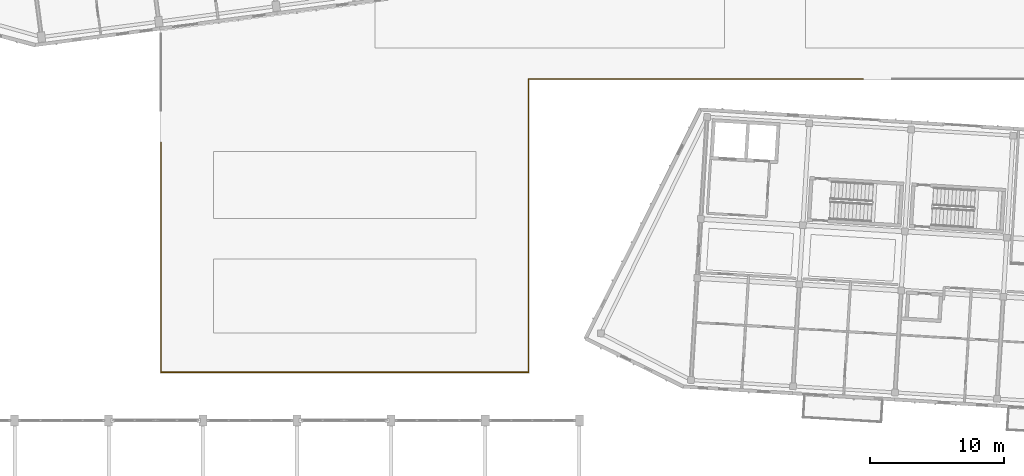
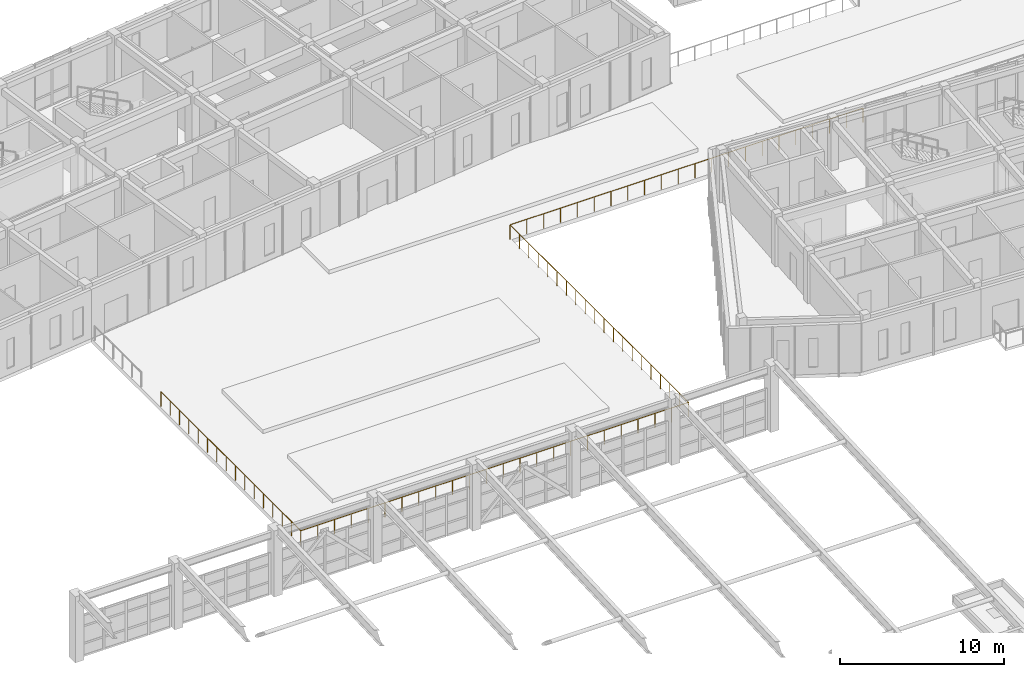
# One storey, part 112 of 150: 1 railing.
"""IFC4 building model written with IfcOpenShell, lengths in metres."""

from ifc_helpers import new_model, si_unit, direction, frame, origin, origin_2d, place, context, subcontext, project, spatial, circle, extrude, material, type_object, element, save


model = new_model("IFC4")

# Units and contexts
model_context = context("Model", 3, precision=1e-05, world=origin(), true_north=direction((0.0, 1.0)))
body_context = subcontext(model_context, "Body", "Model", "MODEL_VIEW")
ifc_project = project(units=[si_unit("LENGTHUNIT", "METRE"), si_unit("AREAUNIT", "SQUARE_METRE"), si_unit("VOLUMEUNIT", "CUBIC_METRE"), si_unit("PLANEANGLEUNIT", "RADIAN"), si_unit("MASSUNIT", "GRAM", prefix="KILO")], contexts=[model_context])

# Site, building, storey
site_placement = place(None, origin())
site = spatial("IfcSite", under=ifc_project, at=site_placement, CompositionType="ELEMENT")
building_placement = place(site_placement, origin())
building = spatial("IfcBuilding", under=site, at=building_placement, Name="Kestramere Prow Commons", CompositionType="ELEMENT")
storey_placement = place(building_placement, frame((0.0, 0.0, 4.5)))
storey = spatial("IfcBuildingStorey", under=building, at=storey_placement, Name="L01", CompositionType="ELEMENT", Elevation=4.5)

# Railing
ifc_material = material(Name="Powder-Coated Aluminium 6063-T6", Category="aluminium")
railing_type = type_object("IfcRailingType", Name="GRD-BALC-1100", PredefinedType="BALUSTRADE", material=ifc_material)
railing_placement = place(storey_placement, frame((72.300048828125, 68.8798828125, 0.0)))
element("IfcRailing", 1, at=railing_placement, inside=storey, type_object=railing_type, Name="Raised Central Courtyard Perimeter Guardrail 3", PredefinedType="BALUSTRADE", context=body_context, shape_type="SweptSolid", body=[
    extrude(circle(Radius=0.02392578125, at=origin_2d()), frame((0.0, 0.0, 1.076171875), z_axis=(-1.0, 0.0, 0.0), x_axis=(0.0, -1.0, 0.0)), (0.0, 0.0, 1.0), 24.880126953125),
    extrude(circle(Radius=0.02392578125, at=origin_2d()), frame((-24.880126953125, 0.0, 1.076171875), z_axis=(0.0, -1.0, 0.0), x_axis=(1.0, 0.0, 0.0)), (0.0, 0.0, 1.0), 21.7998046875),
    extrude(circle(Radius=0.02392578125, at=origin_2d()), frame((-24.880126953125, -21.7998046875, 1.076171875), z_axis=(-1.0, 0.0, 0.0), x_axis=(0.0, -1.0, 0.0)), (0.0, 0.0, 1.0), 27.33984375),
    extrude(circle(Radius=0.02392578125, at=origin_2d()), frame((-52.219970703125, -21.7998046875, 1.076171875), z_axis=(0.0, 1.0, 0.0), x_axis=(-1.0, 0.0, 0.0)), (0.0, 0.0, 1.0), 17.06982421875),
    extrude(circle(Radius=0.02099609375, at=origin_2d()), origin(), (0.0, 0.0, 1.0), 1.052001953125),
    extrude(circle(Radius=0.02099609375, at=origin_2d()), frame((-1.184814453125, 0.0, 0.0)), (0.0, 0.0, 1.0), 1.052001953125),
    extrude(circle(Radius=0.02099609375, at=origin_2d()), frame((-2.36962890625, 0.0, 0.0)), (0.0, 0.0, 1.0), 1.052001953125),
    extrude(circle(Radius=0.02099609375, at=origin_2d()), frame((-3.55419921875, 0.0, 0.0)), (0.0, 0.0, 1.0), 1.052001953125),
    extrude(circle(Radius=0.02099609375, at=origin_2d()), frame((-4.739013671875, 0.0, 0.0)), (0.0, 0.0, 1.0), 1.052001953125),
    extrude(circle(Radius=0.02099609375, at=origin_2d()), frame((-5.923828125, 0.0, 0.0)), (0.0, 0.0, 1.0), 1.052001953125),
    extrude(circle(Radius=0.02099609375, at=origin_2d()), frame((-7.108642578125, 0.0, 0.0)), (0.0, 0.0, 1.0), 1.052001953125),
    extrude(circle(Radius=0.02099609375, at=origin_2d()), frame((-8.29345703125, 0.0, 0.0)), (0.0, 0.0, 1.0), 1.052001953125),
    extrude(circle(Radius=0.02099609375, at=origin_2d()), frame((-9.47802734375, 0.0, 0.0)), (0.0, 0.0, 1.0), 1.052001953125),
    extrude(circle(Radius=0.02099609375, at=origin_2d()), frame((-10.662841796875, 0.0, 0.0)), (0.0, 0.0, 1.0), 1.052001953125),
    extrude(circle(Radius=0.02099609375, at=origin_2d()), frame((-11.84765625, 0.0, 0.0)), (0.0, 0.0, 1.0), 1.052001953125),
    extrude(circle(Radius=0.02099609375, at=origin_2d()), frame((-13.032470703125, 0.0, 0.0)), (0.0, 0.0, 1.0), 1.052001953125),
    extrude(circle(Radius=0.02099609375, at=origin_2d()), frame((-14.21728515625, 0.0, 0.0)), (0.0, 0.0, 1.0), 1.052001953125),
    extrude(circle(Radius=0.02099609375, at=origin_2d()), frame((-15.402099609375, 0.0, 0.0)), (0.0, 0.0, 1.0), 1.052001953125),
    extrude(circle(Radius=0.02099609375, at=origin_2d()), frame((-16.586669921875, 0.0, 0.0)), (0.0, 0.0, 1.0), 1.052001953125),
    extrude(circle(Radius=0.02099609375, at=origin_2d()), frame((-17.771484375, 0.0, 0.0)), (0.0, 0.0, 1.0), 1.052001953125),
    extrude(circle(Radius=0.02099609375, at=origin_2d()), frame((-18.956298828125, 0.0, 0.0)), (0.0, 0.0, 1.0), 1.052001953125),
    extrude(circle(Radius=0.02099609375, at=origin_2d()), frame((-20.14111328125, 0.0, 0.0)), (0.0, 0.0, 1.0), 1.052001953125),
    extrude(circle(Radius=0.02099609375, at=origin_2d()), frame((-21.325927734375, 0.0, 0.0)), (0.0, 0.0, 1.0), 1.052001953125),
    extrude(circle(Radius=0.02099609375, at=origin_2d()), frame((-22.510498046875, 0.0, 0.0)), (0.0, 0.0, 1.0), 1.052001953125),
    extrude(circle(Radius=0.02099609375, at=origin_2d()), frame((-23.6953125, 0.0, 0.0)), (0.0, 0.0, 1.0), 1.052001953125),
    extrude(circle(Radius=0.02099609375, at=origin_2d()), frame((-24.880126953125, 0.0, 0.0)), (0.0, 0.0, 1.0), 1.052001953125),
    extrude(circle(Radius=0.02099609375, at=origin_2d()), frame((-24.880126953125, -1.1474609375, 0.0)), (0.0, 0.0, 1.0), 1.052001953125),
    extrude(circle(Radius=0.02099609375, at=origin_2d()), frame((-24.880126953125, -2.294677734375, 0.0)), (0.0, 0.0, 1.0), 1.052001953125),
    extrude(circle(Radius=0.02099609375, at=origin_2d()), frame((-24.880126953125, -3.442138671875, 0.0)), (0.0, 0.0, 1.0), 1.052001953125),
    extrude(circle(Radius=0.02099609375, at=origin_2d()), frame((-24.880126953125, -4.58935546875, 0.0)), (0.0, 0.0, 1.0), 1.052001953125),
    extrude(circle(Radius=0.02099609375, at=origin_2d()), frame((-24.880126953125, -5.73681640625, 0.0)), (0.0, 0.0, 1.0), 1.052001953125),
    extrude(circle(Radius=0.02099609375, at=origin_2d()), frame((-24.880126953125, -6.884033203125, 0.0)), (0.0, 0.0, 1.0), 1.052001953125),
    extrude(circle(Radius=0.02099609375, at=origin_2d()), frame((-24.880126953125, -8.031494140625, 0.0)), (0.0, 0.0, 1.0), 1.052001953125),
    extrude(circle(Radius=0.02099609375, at=origin_2d()), frame((-24.880126953125, -9.178955078125, 0.0)), (0.0, 0.0, 1.0), 1.052001953125),
    extrude(circle(Radius=0.02099609375, at=origin_2d()), frame((-24.880126953125, -10.326171875, 0.0)), (0.0, 0.0, 1.0), 1.052001953125),
    extrude(circle(Radius=0.02099609375, at=origin_2d()), frame((-24.880126953125, -11.4736328125, 0.0)), (0.0, 0.0, 1.0), 1.052001953125),
    extrude(circle(Radius=0.02099609375, at=origin_2d()), frame((-24.880126953125, -12.620849609375, 0.0)), (0.0, 0.0, 1.0), 1.052001953125),
    extrude(circle(Radius=0.02099609375, at=origin_2d()), frame((-24.880126953125, -13.768310546875, 0.0)), (0.0, 0.0, 1.0), 1.052001953125),
    extrude(circle(Radius=0.02099609375, at=origin_2d()), frame((-24.880126953125, -14.915771484375, 0.0)), (0.0, 0.0, 1.0), 1.052001953125),
    extrude(circle(Radius=0.02099609375, at=origin_2d()), frame((-24.880126953125, -16.06298828125, 0.0)), (0.0, 0.0, 1.0), 1.052001953125),
    extrude(circle(Radius=0.02099609375, at=origin_2d()), frame((-24.880126953125, -17.21044921875, 0.0)), (0.0, 0.0, 1.0), 1.052001953125),
    extrude(circle(Radius=0.02099609375, at=origin_2d()), frame((-24.880126953125, -18.357666015625, 0.0)), (0.0, 0.0, 1.0), 1.052001953125),
    extrude(circle(Radius=0.02099609375, at=origin_2d()), frame((-24.880126953125, -19.505126953125, 0.0)), (0.0, 0.0, 1.0), 1.052001953125),
    extrude(circle(Radius=0.02099609375, at=origin_2d()), frame((-24.880126953125, -20.65234375, 0.0)), (0.0, 0.0, 1.0), 1.052001953125),
    extrude(circle(Radius=0.02099609375, at=origin_2d()), frame((-24.880126953125, -21.7998046875, 0.0)), (0.0, 0.0, 1.0), 1.052001953125),
    extrude(circle(Radius=0.02099609375, at=origin_2d()), frame((-26.06884765625, -21.7998046875, 0.0)), (0.0, 0.0, 1.0), 1.052001953125),
    extrude(circle(Radius=0.02099609375, at=origin_2d()), frame((-27.257568359375, -21.7998046875, 0.0)), (0.0, 0.0, 1.0), 1.052001953125),
    extrude(circle(Radius=0.02099609375, at=origin_2d()), frame((-28.4462890625, -21.7998046875, 0.0)), (0.0, 0.0, 1.0), 1.052001953125),
    extrude(circle(Radius=0.02099609375, at=origin_2d()), frame((-29.634765625, -21.7998046875, 0.0)), (0.0, 0.0, 1.0), 1.052001953125),
    extrude(circle(Radius=0.02099609375, at=origin_2d()), frame((-30.823486328125, -21.7998046875, 0.0)), (0.0, 0.0, 1.0), 1.052001953125),
    extrude(circle(Radius=0.02099609375, at=origin_2d()), frame((-32.01220703125, -21.7998046875, 0.0)), (0.0, 0.0, 1.0), 1.052001953125),
    extrude(circle(Radius=0.02099609375, at=origin_2d()), frame((-33.200927734375, -21.7998046875, 0.0)), (0.0, 0.0, 1.0), 1.052001953125),
    extrude(circle(Radius=0.02099609375, at=origin_2d()), frame((-34.3896484375, -21.7998046875, 0.0)), (0.0, 0.0, 1.0), 1.052001953125),
    extrude(circle(Radius=0.02099609375, at=origin_2d()), frame((-35.578369140625, -21.7998046875, 0.0)), (0.0, 0.0, 1.0), 1.052001953125),
    extrude(circle(Radius=0.02099609375, at=origin_2d()), frame((-36.76708984375, -21.7998046875, 0.0)), (0.0, 0.0, 1.0), 1.052001953125),
    extrude(circle(Radius=0.02099609375, at=origin_2d()), frame((-37.955810546875, -21.7998046875, 0.0)), (0.0, 0.0, 1.0), 1.052001953125),
    extrude(circle(Radius=0.02099609375, at=origin_2d()), frame((-39.144287109375, -21.7998046875, 0.0)), (0.0, 0.0, 1.0), 1.052001953125),
    extrude(circle(Radius=0.02099609375, at=origin_2d()), frame((-40.3330078125, -21.7998046875, 0.0)), (0.0, 0.0, 1.0), 1.052001953125),
    extrude(circle(Radius=0.02099609375, at=origin_2d()), frame((-41.521728515625, -21.7998046875, 0.0)), (0.0, 0.0, 1.0), 1.052001953125),
    extrude(circle(Radius=0.02099609375, at=origin_2d()), frame((-42.71044921875, -21.7998046875, 0.0)), (0.0, 0.0, 1.0), 1.052001953125),
    extrude(circle(Radius=0.02099609375, at=origin_2d()), frame((-43.899169921875, -21.7998046875, 0.0)), (0.0, 0.0, 1.0), 1.052001953125),
    extrude(circle(Radius=0.02099609375, at=origin_2d()), frame((-45.087890625, -21.7998046875, 0.0)), (0.0, 0.0, 1.0), 1.052001953125),
    extrude(circle(Radius=0.02099609375, at=origin_2d()), frame((-46.276611328125, -21.7998046875, 0.0)), (0.0, 0.0, 1.0), 1.052001953125),
    extrude(circle(Radius=0.02099609375, at=origin_2d()), frame((-47.46533203125, -21.7998046875, 0.0)), (0.0, 0.0, 1.0), 1.052001953125),
    extrude(circle(Radius=0.02099609375, at=origin_2d()), frame((-48.65380859375, -21.7998046875, 0.0)), (0.0, 0.0, 1.0), 1.052001953125),
    extrude(circle(Radius=0.02099609375, at=origin_2d()), frame((-49.842529296875, -21.7998046875, 0.0)), (0.0, 0.0, 1.0), 1.052001953125),
    extrude(circle(Radius=0.02099609375, at=origin_2d()), frame((-51.03125, -21.7998046875, 0.0)), (0.0, 0.0, 1.0), 1.052001953125),
    extrude(circle(Radius=0.02099609375, at=origin_2d()), frame((-52.219970703125, -21.7998046875, 0.0)), (0.0, 0.0, 1.0), 1.052001953125),
    extrude(circle(Radius=0.02099609375, at=origin_2d()), frame((-52.219970703125, -20.661865234375, 0.0)), (0.0, 0.0, 1.0), 1.052001953125),
    extrude(circle(Radius=0.02099609375, at=origin_2d()), frame((-52.219970703125, -19.52392578125, 0.0)), (0.0, 0.0, 1.0), 1.052001953125),
    extrude(circle(Radius=0.02099609375, at=origin_2d()), frame((-52.219970703125, -18.3857421875, 0.0)), (0.0, 0.0, 1.0), 1.052001953125),
    extrude(circle(Radius=0.02099609375, at=origin_2d()), frame((-52.219970703125, -17.247802734375, 0.0)), (0.0, 0.0, 1.0), 1.052001953125),
    extrude(circle(Radius=0.02099609375, at=origin_2d()), frame((-52.219970703125, -16.10986328125, 0.0)), (0.0, 0.0, 1.0), 1.052001953125),
    extrude(circle(Radius=0.02099609375, at=origin_2d()), frame((-52.219970703125, -14.971923828125, 0.0)), (0.0, 0.0, 1.0), 1.052001953125),
    extrude(circle(Radius=0.02099609375, at=origin_2d()), frame((-52.219970703125, -13.833984375, 0.0)), (0.0, 0.0, 1.0), 1.052001953125),
    extrude(circle(Radius=0.02099609375, at=origin_2d()), frame((-52.219970703125, -12.69580078125, 0.0)), (0.0, 0.0, 1.0), 1.052001953125),
    extrude(circle(Radius=0.02099609375, at=origin_2d()), frame((-52.219970703125, -11.557861328125, 0.0)), (0.0, 0.0, 1.0), 1.052001953125),
    extrude(circle(Radius=0.02099609375, at=origin_2d()), frame((-52.219970703125, -10.419921875, 0.0)), (0.0, 0.0, 1.0), 1.052001953125),
    extrude(circle(Radius=0.02099609375, at=origin_2d()), frame((-52.219970703125, -9.281982421875, 0.0)), (0.0, 0.0, 1.0), 1.052001953125),
    extrude(circle(Radius=0.02099609375, at=origin_2d()), frame((-52.219970703125, -8.14404296875, 0.0)), (0.0, 0.0, 1.0), 1.052001953125),
    extrude(circle(Radius=0.02099609375, at=origin_2d()), frame((-52.219970703125, -7.005859375, 0.0)), (0.0, 0.0, 1.0), 1.052001953125),
    extrude(circle(Radius=0.02099609375, at=origin_2d()), frame((-52.219970703125, -5.867919921875, 0.0)), (0.0, 0.0, 1.0), 1.052001953125),
    extrude(circle(Radius=0.02099609375, at=origin_2d()), frame((-52.219970703125, -4.72998046875, 0.0)), (0.0, 0.0, 1.0), 1.052001953125),
])

save(model, "model.ifc")
